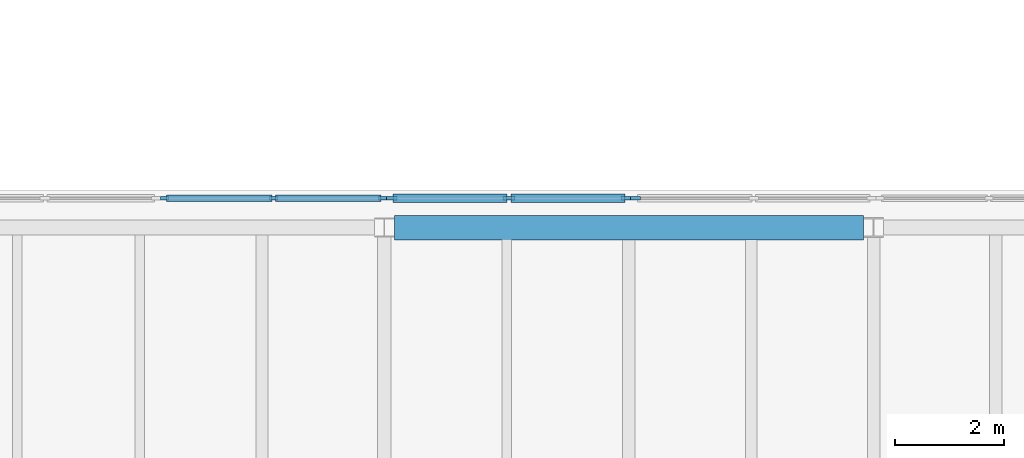
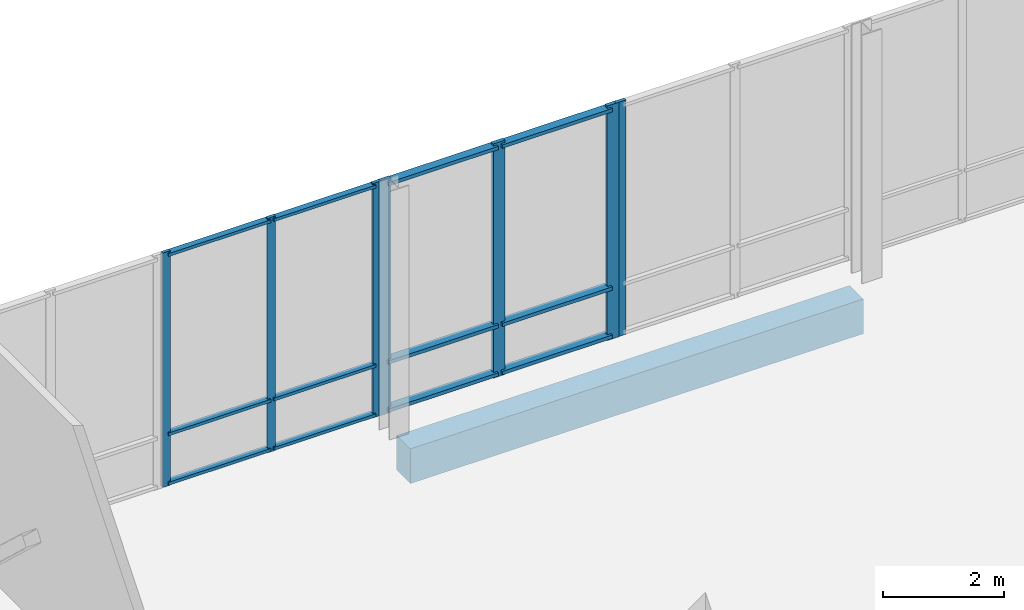
# One storey, part 15 of 60: 19 members, 1 beam, 3 elements without a shape of their own.
"""IFC4 building model written with IfcOpenShell, lengths in metres."""

from ifc_helpers import new_model, si_unit, direction, frame, origin, origin_2d, place, context, subcontext, project, spatial, rectangle, extrude, material, material_profile, profile_set, type_object, element, aggregate, save


model = new_model("IFC4")

# Units and contexts
model_context = context("Model", 3, precision=1e-05, world=origin(), true_north=direction((0.0, 1.0)))
body_context = subcontext(model_context, "Body", "Model", "MODEL_VIEW")
ifc_project = project(units=[si_unit("LENGTHUNIT", "METRE"), si_unit("AREAUNIT", "SQUARE_METRE"), si_unit("VOLUMEUNIT", "CUBIC_METRE"), si_unit("PLANEANGLEUNIT", "RADIAN"), si_unit("MASSUNIT", "GRAM", prefix="KILO")], contexts=[model_context])

# Site, building, storey
site_placement = place(None, origin())
site = spatial("IfcSite", under=ifc_project, at=site_placement, CompositionType="ELEMENT")
building_placement = place(site_placement, origin())
building = spatial("IfcBuilding", under=site, at=building_placement, Name="Trimount Lyric Opera House", CompositionType="ELEMENT")
storey_placement = place(building_placement, frame((0.0, 0.0, 15.0)))
storey = spatial("IfcBuildingStorey", under=building, at=storey_placement, Name="L03", CompositionType="ELEMENT", Elevation=15.0)

# Curtain wall, members
ifc_material_1 = material(Name="Thermally Broken Aluminium and Low-E Glass", Category="aluminium")
curtain_wall_type = type_object("IfcCurtainWallType", Name="CW-03", PredefinedType="NOTDEFINED", material=ifc_material_1)
curtain_wall_1_placement = place(storey_placement, origin())
curtain_wall_1 = element("IfcCurtainWall", 1, at=curtain_wall_1_placement, inside=storey, type_object=curtain_wall_type, Name="L03 curtain wall 297", PredefinedType="NOTDEFINED")
ifc_material_2 = material(Name="Anodised Aluminium 6063-T6", Category="aluminium")
ifc_material_profile_1 = material_profile(ifc_material_2, rectangle(XDim=0.070068359375, YDim=0.219970703125, at=origin_2d()), Name="ALU-MULL-70X220")
ifc_profile_set_1 = profile_set([ifc_material_profile_1], Name="Anodised Aluminium 6063-T6")
member_type_1 = type_object("IfcMemberType", Name="ML-01", PredefinedType="MULLION", material=ifc_profile_set_1)
member_1_placement = place(storey_placement, frame((27.125, 74.5400390625, 0.0), z_axis=(0.0, 0.0, 1.0), x_axis=(0.0, 1.0, 0.0)))
member_1 = element("IfcMember", 2, at=member_1_placement, type_object=member_type_1, Name="CW-03 mullion 1", PredefinedType="MULLION", context=body_context, shape_type="SweptSolid", body=[
    extrude(rectangle(XDim=0.070068359375, YDim=0.219970703125, at=origin_2d()), origin(), (0.0, 0.0, 1.0), 4.719970703125),
])
member_2_placement = place(storey_placement, frame((29.294921875, 74.5400390625, 0.0), z_axis=(0.0, 0.0, 1.0), x_axis=(0.0, 1.0, 0.0)))
member_2 = element("IfcMember", 3, at=member_2_placement, type_object=member_type_1, Name="CW-03 mullion 2", PredefinedType="MULLION", context=body_context, shape_type="SweptSolid", body=[
    extrude(rectangle(XDim=0.070068359375, YDim=0.219970703125, at=origin_2d()), origin(), (0.0, 0.0, 1.0), 4.719970703125),
])
member_3_placement = place(storey_placement, frame((31.465087890625, 74.5400390625, 0.0), z_axis=(0.0, 0.0, 1.0), x_axis=(0.0, 1.0, 0.0)))
member_3 = element("IfcMember", 4, at=member_3_placement, type_object=member_type_1, Name="CW-03 mullion 3", PredefinedType="MULLION", context=body_context, shape_type="SweptSolid", body=[
    extrude(rectangle(XDim=0.070068359375, YDim=0.219970703125, at=origin_2d()), origin(), (0.0, 0.0, 1.0), 4.719970703125),
])

# Curtain wall, member
curtain_wall_2_placement = place(storey_placement, origin())
curtain_wall_2 = element("IfcCurtainWall", 5, at=curtain_wall_2_placement, inside=storey, type_object=curtain_wall_type, Name="L03 curtain wall 298", PredefinedType="NOTDEFINED")
ifc_material_3 = material(Name="Anodised Aluminium 6063-T6", Category="aluminium")
ifc_material_profile_2 = material_profile(ifc_material_3, rectangle(XDim=0.06494140625, YDim=0.179931640625, at=origin_2d()), Name="ALU-MULL-65X180")
ifc_profile_set_2 = profile_set([ifc_material_profile_2], Name="Anodised Aluminium 6063-T6")
member_type_2 = type_object("IfcMemberType", Name="ML-02", PredefinedType="MULLION", material=ifc_profile_set_2)
member_4_placement = place(storey_placement, frame((31.62255859375, 74.5400390625, 0.0), z_axis=(0.0, 0.0, 1.0), x_axis=(0.0, 1.0, 0.0)))
member_4 = element("IfcMember", 6, at=member_4_placement, type_object=member_type_2, Name="CW-03 mullion 1", PredefinedType="MULLION", context=body_context, shape_type="SweptSolid", body=[
    extrude(rectangle(XDim=0.06494140625, YDim=0.179931640625, at=origin_2d()), origin(), (0.0, 0.0, 1.0), 4.719970703125),
])
aggregate(curtain_wall_2, [member_4])

# Curtain wall, members
curtain_wall_3_placement = place(storey_placement, origin())
curtain_wall_3 = element("IfcCurtainWall", 7, at=curtain_wall_3_placement, inside=storey, type_object=curtain_wall_type, Name="L03 curtain wall 296", PredefinedType="NOTDEFINED")
ifc_material_4 = material(Name="Anodised Aluminium 6063-T6", Category="aluminium")
ifc_material_profile_3 = material_profile(ifc_material_4, rectangle(XDim=0.06005859375, YDim=0.14990234375, at=origin_2d()), Name="ALU-MULL-60X150")
ifc_profile_set_3 = profile_set([ifc_material_profile_3], Name="Anodised Aluminium 6063-T6")
member_type_3 = type_object("IfcMemberType", Name="ML-03", PredefinedType="MULLION", material=ifc_profile_set_3)
member_5_placement = place(storey_placement, frame((22.9599609375, 74.5400390625, 0.0), z_axis=(0.0, 0.0, 1.0), x_axis=(0.0, 1.0, 0.0)))
member_5 = element("IfcMember", 8, at=member_5_placement, type_object=member_type_3, Name="CW-03 mullion 1", PredefinedType="MULLION", context=body_context, shape_type="SweptSolid", body=[
    extrude(rectangle(XDim=0.06005859375, YDim=0.14990234375, at=origin_2d()), origin(), (0.0, 0.0, 1.0), 4.719970703125),
])
member_6_placement = place(storey_placement, frame((24.965087890625, 74.5400390625, 0.0), z_axis=(0.0, 0.0, 1.0), x_axis=(0.0, 1.0, 0.0)))
member_6 = element("IfcMember", 9, at=member_6_placement, type_object=member_type_3, Name="CW-03 mullion 2", PredefinedType="MULLION", context=body_context, shape_type="SweptSolid", body=[
    extrude(rectangle(XDim=0.06005859375, YDim=0.14990234375, at=origin_2d()), origin(), (0.0, 0.0, 1.0), 4.719970703125),
])
member_7_placement = place(storey_placement, frame((26.969970703125, 74.5400390625, 0.0), z_axis=(0.0, 0.0, 1.0), x_axis=(0.0, 1.0, 0.0)))
member_7 = element("IfcMember", 10, at=member_7_placement, type_object=member_type_3, Name="CW-03 mullion 3", PredefinedType="MULLION", context=body_context, shape_type="SweptSolid", body=[
    extrude(rectangle(XDim=0.06005859375, YDim=0.14990234375, at=origin_2d()), origin(), (0.0, 0.0, 1.0), 4.719970703125),
])

# Beam
ifc_material_5 = material(Name="Concrete C40/50", Category="concrete")
ifc_material_profile_4 = material_profile(ifc_material_5, rectangle(XDim=0.449951171875, YDim=0.699951171875, at=origin_2d()), Name="RC450X700")
ifc_profile_set_4 = profile_set([ifc_material_profile_4], Name="Concrete C40/50")
beam_type = type_object("IfcBeamType", Name="SP-02", PredefinedType="SPANDREL", material=ifc_profile_set_4)
beam_placement = place(storey_placement, frame((27.18408203125, 74.0, -0.6298828125), z_axis=(1.0, 0.0, 0.0), x_axis=(0.0, 1.0, 0.0)))
element("IfcBeam", 11, at=beam_placement, inside=storey, type_object=beam_type, Name="L03 girder X-0981", PredefinedType="SPANDREL", context=body_context, shape_type="SweptSolid", body=[
    extrude(rectangle(XDim=0.449951171875, YDim=0.699951171875, at=origin_2d()), origin(), (0.0, 0.0, 1.0), 8.62939453125),
])

# Member
ifc_material_6 = material(Name="Anodised Aluminium 6063-T6", Category="aluminium")
ifc_material_profile_5 = material_profile(ifc_material_6, rectangle(XDim=0.159912109375, YDim=0.070068359375, at=origin_2d()), Name="ALU-TRAN-70X160")
ifc_profile_set_5 = profile_set([ifc_material_profile_5], Name="Anodised Aluminium 6063-T6")
member_type_4 = type_object("IfcMemberType", Name="TR-01", PredefinedType="USERDEFINED", material=ifc_profile_set_5)
member_8_placement = place(storey_placement, frame((27.159912109375, 74.5400390625, 0.080078125), z_axis=(1.0, 0.0, 0.0), x_axis=(0.0, 1.0, 0.0)))
member_8 = element("IfcMember", 12, at=member_8_placement, type_object=member_type_4, Name="CW-03 transom 1.1", ObjectType="TRANSOM", PredefinedType="USERDEFINED", context=body_context, shape_type="SweptSolid", body=[
    extrude(rectangle(XDim=0.159912109375, YDim=0.070068359375, at=origin_2d()), origin(), (0.0, 0.0, 1.0), 2.10009765625),
])

member_9_placement = place(storey_placement, frame((27.159912109375, 74.5400390625, 1.050048828125), z_axis=(1.0, 0.0, 0.0), x_axis=(0.0, 1.0, 0.0)))
member_9 = element("IfcMember", 13, at=member_9_placement, type_object=member_type_4, Name="CW-03 transom 1.2", ObjectType="TRANSOM", PredefinedType="USERDEFINED", context=body_context, shape_type="SweptSolid", body=[
    extrude(rectangle(XDim=0.159912109375, YDim=0.070068359375, at=origin_2d()), origin(), (0.0, 0.0, 1.0), 2.10009765625),
])

member_10_placement = place(storey_placement, frame((27.159912109375, 74.5400390625, 4.639892578125), z_axis=(1.0, 0.0, 0.0), x_axis=(0.0, 1.0, 0.0)))
member_10 = element("IfcMember", 14, at=member_10_placement, type_object=member_type_4, Name="CW-03 transom 1.3", ObjectType="TRANSOM", PredefinedType="USERDEFINED", context=body_context, shape_type="SweptSolid", body=[
    extrude(rectangle(XDim=0.159912109375, YDim=0.070068359375, at=origin_2d()), origin(), (0.0, 0.0, 1.0), 2.10009765625),
])

member_11_placement = place(storey_placement, frame((29.330078125, 74.5400390625, 0.080078125), z_axis=(1.0, 0.0, 0.0), x_axis=(0.0, 1.0, 0.0)))
member_11 = element("IfcMember", 15, at=member_11_placement, type_object=member_type_4, Name="CW-03 transom 2.1", ObjectType="TRANSOM", PredefinedType="USERDEFINED", context=body_context, shape_type="SweptSolid", body=[
    extrude(rectangle(XDim=0.159912109375, YDim=0.070068359375, at=origin_2d()), origin(), (0.0, 0.0, 1.0), 2.099853515625),
])

member_12_placement = place(storey_placement, frame((29.330078125, 74.5400390625, 1.050048828125), z_axis=(1.0, 0.0, 0.0), x_axis=(0.0, 1.0, 0.0)))
member_12 = element("IfcMember", 16, at=member_12_placement, type_object=member_type_4, Name="CW-03 transom 2.2", ObjectType="TRANSOM", PredefinedType="USERDEFINED", context=body_context, shape_type="SweptSolid", body=[
    extrude(rectangle(XDim=0.159912109375, YDim=0.070068359375, at=origin_2d()), origin(), (0.0, 0.0, 1.0), 2.099853515625),
])

member_13_placement = place(storey_placement, frame((29.330078125, 74.5400390625, 4.639892578125), z_axis=(1.0, 0.0, 0.0), x_axis=(0.0, 1.0, 0.0)))
member_13 = element("IfcMember", 17, at=member_13_placement, type_object=member_type_4, Name="CW-03 transom 2.3", ObjectType="TRANSOM", PredefinedType="USERDEFINED", context=body_context, shape_type="SweptSolid", body=[
    extrude(rectangle(XDim=0.159912109375, YDim=0.070068359375, at=origin_2d()), origin(), (0.0, 0.0, 1.0), 2.099853515625),
])

aggregate(curtain_wall_1, [member_1, member_2, member_3, member_8, member_9, member_10, member_11, member_12, member_13])

ifc_material_7 = material(Name="Anodised Aluminium 6063-T6", Category="aluminium")
ifc_material_profile_6 = material_profile(ifc_material_7, rectangle(XDim=0.114990234375, YDim=0.06005859375, at=origin_2d()), Name="ALU-TRAN-60X115")
ifc_profile_set_6 = profile_set([ifc_material_profile_6], Name="Anodised Aluminium 6063-T6")
member_type_5 = type_object("IfcMemberType", Name="TR-03", PredefinedType="USERDEFINED", material=ifc_profile_set_6)
member_14_placement = place(storey_placement, frame((22.989990234375, 74.5400390625, 0.0576171875), z_axis=(1.0, 0.0, 0.0), x_axis=(0.0, 1.0, 0.0)))
member_14 = element("IfcMember", 18, at=member_14_placement, type_object=member_type_5, Name="CW-03 transom 1.1", ObjectType="TRANSOM", PredefinedType="USERDEFINED", context=body_context, shape_type="SweptSolid", body=[
    extrude(rectangle(XDim=0.114990234375, YDim=0.06005859375, at=origin_2d()), origin(), (0.0, 0.0, 1.0), 1.945068359375),
])

member_15_placement = place(storey_placement, frame((22.989990234375, 74.5400390625, 1.050048828125), z_axis=(1.0, 0.0, 0.0), x_axis=(0.0, 1.0, 0.0)))
member_15 = element("IfcMember", 19, at=member_15_placement, type_object=member_type_5, Name="CW-03 transom 1.2", ObjectType="TRANSOM", PredefinedType="USERDEFINED", context=body_context, shape_type="SweptSolid", body=[
    extrude(rectangle(XDim=0.114990234375, YDim=0.06005859375, at=origin_2d()), origin(), (0.0, 0.0, 1.0), 1.945068359375),
])

member_16_placement = place(storey_placement, frame((22.989990234375, 74.5400390625, 4.66259765625), z_axis=(1.0, 0.0, 0.0), x_axis=(0.0, 1.0, 0.0)))
member_16 = element("IfcMember", 20, at=member_16_placement, type_object=member_type_5, Name="CW-03 transom 1.3", ObjectType="TRANSOM", PredefinedType="USERDEFINED", context=body_context, shape_type="SweptSolid", body=[
    extrude(rectangle(XDim=0.114990234375, YDim=0.06005859375, at=origin_2d()), origin(), (0.0, 0.0, 1.0), 1.945068359375),
])

member_17_placement = place(storey_placement, frame((24.9951171875, 74.5400390625, 0.0576171875), z_axis=(1.0, 0.0, 0.0), x_axis=(0.0, 1.0, 0.0)))
member_17 = element("IfcMember", 21, at=member_17_placement, type_object=member_type_5, Name="CW-03 transom 2.1", ObjectType="TRANSOM", PredefinedType="USERDEFINED", context=body_context, shape_type="SweptSolid", body=[
    extrude(rectangle(XDim=0.114990234375, YDim=0.06005859375, at=origin_2d()), origin(), (0.0, 0.0, 1.0), 1.94482421875),
])

member_18_placement = place(storey_placement, frame((24.9951171875, 74.5400390625, 1.050048828125), z_axis=(1.0, 0.0, 0.0), x_axis=(0.0, 1.0, 0.0)))
member_18 = element("IfcMember", 22, at=member_18_placement, type_object=member_type_5, Name="CW-03 transom 2.2", ObjectType="TRANSOM", PredefinedType="USERDEFINED", context=body_context, shape_type="SweptSolid", body=[
    extrude(rectangle(XDim=0.114990234375, YDim=0.06005859375, at=origin_2d()), origin(), (0.0, 0.0, 1.0), 1.94482421875),
])

member_19_placement = place(storey_placement, frame((24.9951171875, 74.5400390625, 4.66259765625), z_axis=(1.0, 0.0, 0.0), x_axis=(0.0, 1.0, 0.0)))
member_19 = element("IfcMember", 23, at=member_19_placement, type_object=member_type_5, Name="CW-03 transom 2.3", ObjectType="TRANSOM", PredefinedType="USERDEFINED", context=body_context, shape_type="SweptSolid", body=[
    extrude(rectangle(XDim=0.114990234375, YDim=0.06005859375, at=origin_2d()), origin(), (0.0, 0.0, 1.0), 1.94482421875),
])

aggregate(curtain_wall_3, [member_5, member_6, member_7, member_14, member_15, member_16, member_17, member_18, member_19])

save(model, "model.ifc")
